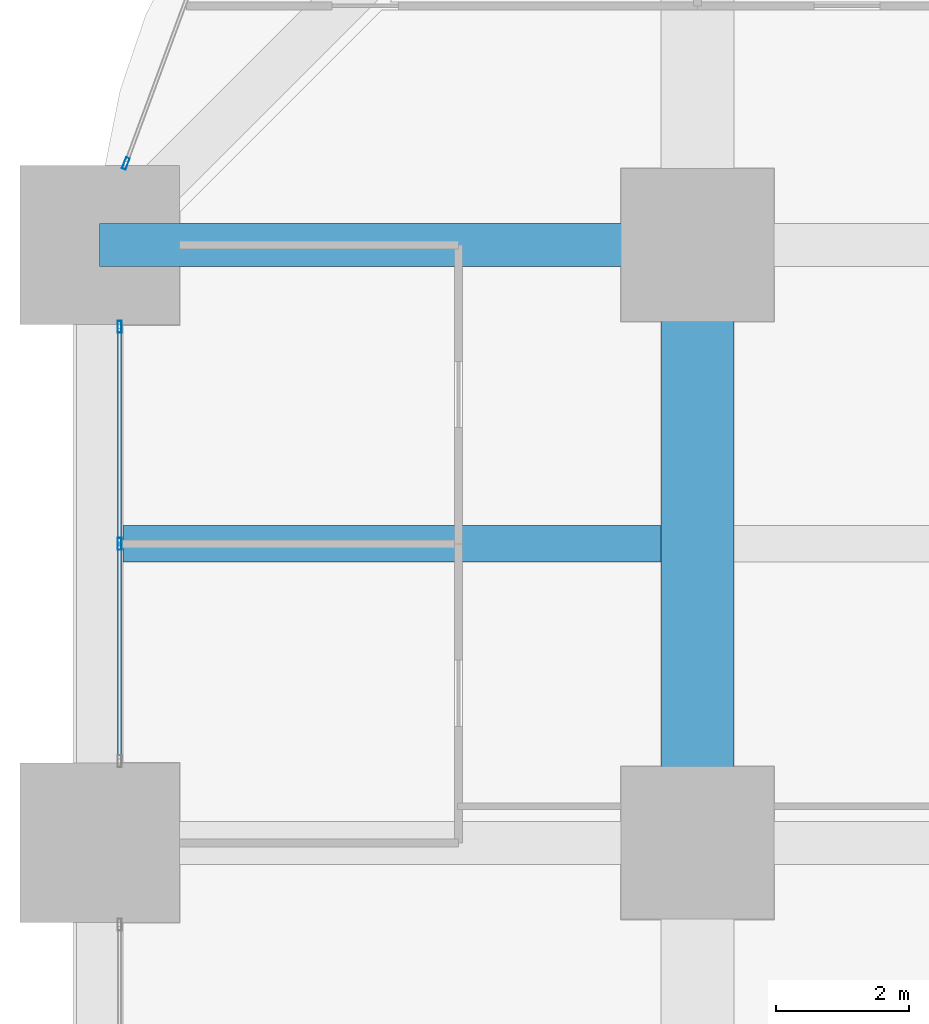
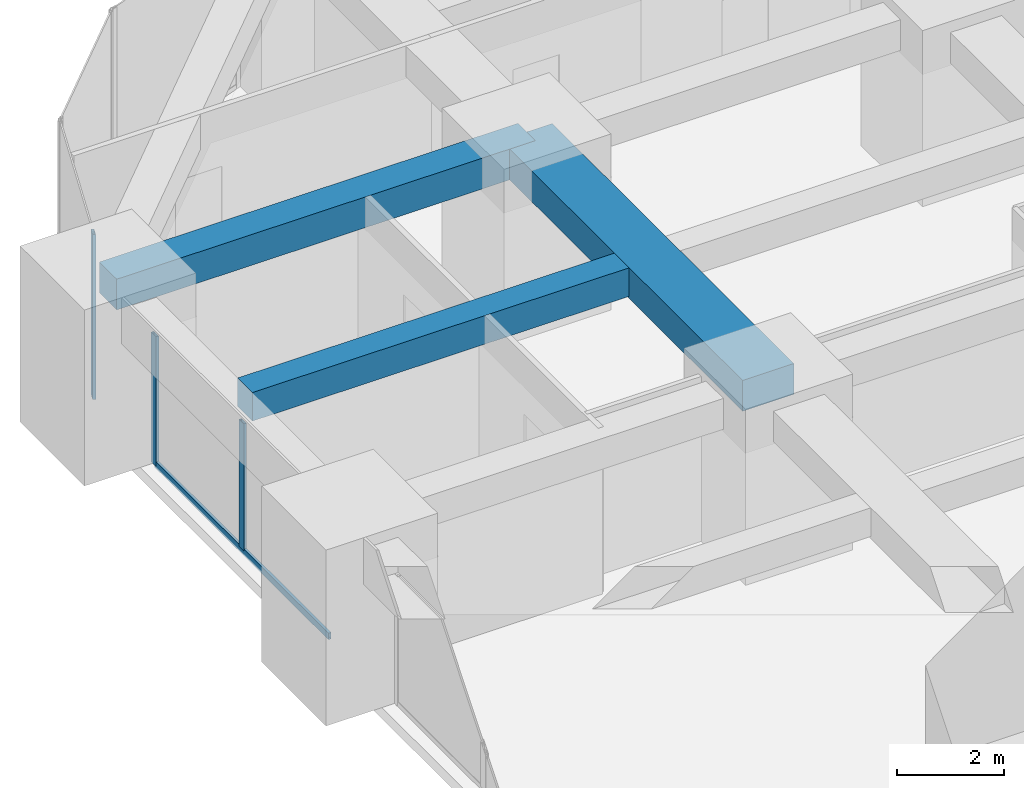
# One storey, part 25 of 44: 4 members, 3 beams, 2 elements without a shape of their own.
"""IFC4 building model written with IfcOpenShell, lengths in metres."""

from ifc_helpers import new_model, si_unit, direction, frame, origin, origin_2d, place, context, subcontext, project, spatial, rectangle, hollow_rectangle, extrude, material, material_profile, profile_set, type_object, element, aggregate, save


model = new_model("IFC4")

# Units and contexts
model_context = context("Model", 3, precision=1e-05, world=origin(), true_north=direction((0.0, 1.0)))
body_context = subcontext(model_context, "Body", "Model", "MODEL_VIEW")
ifc_project = project(units=[si_unit("LENGTHUNIT", "METRE"), si_unit("AREAUNIT", "SQUARE_METRE"), si_unit("VOLUMEUNIT", "CUBIC_METRE"), si_unit("PLANEANGLEUNIT", "RADIAN"), si_unit("MASSUNIT", "GRAM", prefix="KILO")], contexts=[model_context])

# Site, building, storey
site_placement = place(None, origin())
site = spatial("IfcSite", under=ifc_project, at=site_placement, CompositionType="ELEMENT")
building_placement = place(site_placement, origin())
building = spatial("IfcBuilding", under=site, at=building_placement, Name="Zorevar Civic Tower", CompositionType="ELEMENT")
storey_placement = place(building_placement, frame((0.0, 0.0, 31.800048828125)))
storey = spatial("IfcBuildingStorey", under=building, at=storey_placement, Name="L07", CompositionType="ELEMENT", Elevation=31.800048828125)

# Beams
ifc_material_1 = material(Name="Concrete C50/60", Category="concrete")
ifc_material_profile_1 = material_profile(ifc_material_1, rectangle(XDim=1.10009765625, YDim=0.699951171875, at=origin_2d()), Name="RC 1100x700")
ifc_profile_set_1 = profile_set([ifc_material_profile_1], Name="Concrete C50/60")
beam_type_1 = type_object("IfcBeamType", Name="Beam RC 1100x700", PredefinedType="BEAM", material=ifc_profile_set_1)
beam_1_placement = place(storey_placement, frame((9.0, 36.0, 3.39990234375), z_axis=(0.0, 1.0, 0.0), x_axis=(-1.0, 0.0, 0.0)))
element("IfcBeam", 1, at=beam_1_placement, inside=storey, type_object=beam_type_1, Name="Girder L08", PredefinedType="BEAM", context=body_context, shape_type="SweptSolid", body=[
    extrude(rectangle(XDim=1.10009765625, YDim=0.699951171875, at=origin_2d()), origin(), (0.0, 0.0, 1.0), 9.0),
])
ifc_material_2 = material(Name="Concrete C50/60", Category="concrete")
ifc_material_profile_2 = material_profile(ifc_material_2, rectangle(XDim=0.550048828125, YDim=0.64990234375, at=origin_2d()), Name="RC 550x650")
ifc_profile_set_2 = profile_set([ifc_material_profile_2], Name="Concrete C50/60")
beam_type_2 = type_object("IfcBeamType", Name="Beam RC 550x650", PredefinedType="BEAM", material=ifc_profile_set_2)
beam_2_placement = place(storey_placement, frame((0.35009765625, 40.5, 3.425048828125), z_axis=(1.0, 0.0, 0.0), x_axis=(0.0, 1.0, 0.0)))
element("IfcBeam", 2, at=beam_2_placement, inside=storey, type_object=beam_type_2, Name="Secondary beam L08", PredefinedType="BEAM", context=body_context, shape_type="SweptSolid", body=[
    extrude(rectangle(XDim=0.550048828125, YDim=0.64990234375, at=origin_2d()), origin(), (0.0, 0.0, 1.0), 8.099853515625),
])
ifc_material_3 = material(Name="Concrete C50/60", Category="concrete")
ifc_material_profile_3 = material_profile(ifc_material_3, rectangle(XDim=0.64990234375, YDim=0.699951171875, at=origin_2d()), Name="RC 650x700")
ifc_profile_set_3 = profile_set([ifc_material_profile_3], Name="Concrete C50/60")
beam_type_3 = type_object("IfcBeamType", Name="Beam RC 650x700", PredefinedType="BEAM", material=ifc_profile_set_3)
beam_3_placement = place(storey_placement, frame((0.0, 45.0, 3.39990234375), z_axis=(1.0, 0.0, 0.0), x_axis=(0.0, 1.0, 0.0)))
element("IfcBeam", 3, at=beam_3_placement, inside=storey, type_object=beam_type_3, Name="Girder L08", PredefinedType="BEAM", context=body_context, shape_type="SweptSolid", body=[
    extrude(rectangle(XDim=0.64990234375, YDim=0.699951171875, at=origin_2d()), origin(), (0.0, 0.0, 1.0), 9.0),
])

# Curtain wall, members
ifc_material_4 = material(Name="Dark grey solar-control glass in black aluminium frame", Category="aluminium")
curtain_wall_type = type_object("IfcCurtainWallType", Name="Curtain wall CW2 low zone", PredefinedType="NOTDEFINED", material=ifc_material_4)
curtain_wall_1_placement = place(storey_placement, origin())
curtain_wall_1 = element("IfcCurtainWall", 4, at=curtain_wall_1_placement, inside=storey, type_object=curtain_wall_type, Name="CW2 L07", PredefinedType="NOTDEFINED")
ifc_material_5 = material(Name="Aluminium, black anodised", Category="aluminium")
ifc_material_profile_4 = material_profile(ifc_material_5, hollow_rectangle(XDim=0.06005859375, YDim=0.179931640625, WallThickness=0.00390625, at=origin_2d()), Name="AL 180x60x4")
ifc_profile_set_4 = profile_set([ifc_material_profile_4], Name="Aluminium, black anodised")
member_type_1 = type_object("IfcMemberType", Name="CW2 mullion AL 180x60x4", PredefinedType="MULLION", material=ifc_profile_set_4)
member_1_placement = place(storey_placement, frame((0.300048828125, 40.5, 0.06005859375), z_axis=(0.0, 0.0, 1.0), x_axis=(-1.0, 0.0, 0.0)))
member_1 = element("IfcMember", 5, at=member_1_placement, type_object=member_type_1, Name="CW2 mullion 2", PredefinedType="MULLION", context=body_context, shape_type="SweptSolid", body=[
    extrude(hollow_rectangle(XDim=0.06005859375, YDim=0.179931640625, WallThickness=0.00390625, at=origin_2d()), origin(), (0.0, 0.0, 1.0), 2.889892578125),
])
member_2_placement = place(storey_placement, frame((0.300048828125, 43.77001953125, 0.0), z_axis=(0.0, 0.0, 1.0), x_axis=(-1.0, 0.0, 0.0)))
member_2 = element("IfcMember", 6, at=member_2_placement, type_object=member_type_1, Name="CW2 mullion 3", PredefinedType="MULLION", context=body_context, shape_type="SweptSolid", body=[
    extrude(hollow_rectangle(XDim=0.06005859375, YDim=0.179931640625, WallThickness=0.00390625, at=origin_2d()), origin(), (0.0, 0.0, 1.0), 2.949951171875),
])

# Curtain wall, member
curtain_wall_2_placement = place(storey_placement, origin())
curtain_wall_2 = element("IfcCurtainWall", 7, at=curtain_wall_2_placement, inside=storey, type_object=curtain_wall_type, Name="CW2 L07", PredefinedType="NOTDEFINED")
member_3_placement = place(storey_placement, frame((0.3935546875, 46.22802734375, 0.0), z_axis=(0.0, 0.0, 1.0), x_axis=(0.937974588163, -0.346704012033, 0.0)))
member_3 = element("IfcMember", 8, at=member_3_placement, type_object=member_type_1, Name="CW2 mullion 2", PredefinedType="MULLION", context=body_context, shape_type="SweptSolid", body=[
    extrude(hollow_rectangle(XDim=0.06005859375, YDim=0.179931640625, WallThickness=0.00390625, at=origin_2d()), origin(), (0.0, 0.0, 1.0), 3.75),
])
aggregate(curtain_wall_2, [member_3])

# Member
ifc_material_6 = material(Name="Aluminium, black anodised", Category="aluminium")
ifc_material_profile_5 = material_profile(ifc_material_6, hollow_rectangle(XDim=0.06005859375, YDim=0.14990234375, WallThickness=0.00390625, at=origin_2d()), Name="AL 150x60x4")
ifc_profile_set_5 = profile_set([ifc_material_profile_5], Name="Aluminium, black anodised")
member_type_2 = type_object("IfcMemberType", Name="CW2 transom AL 150x60x4", PredefinedType="USERDEFINED", material=ifc_profile_set_5)
member_4_placement = place(storey_placement, frame((0.300048828125, 37.260009765625, 0.030029296875), z_axis=(0.0, 1.0, 0.0), x_axis=(-1.0, 0.0, 0.0)))
member_4 = element("IfcMember", 9, at=member_4_placement, type_object=member_type_2, Name="CW2 sill transom", ObjectType="TRANSOM", PredefinedType="USERDEFINED", context=body_context, shape_type="SweptSolid", body=[
    extrude(hollow_rectangle(XDim=0.06005859375, YDim=0.14990234375, WallThickness=0.00390625, at=origin_2d()), origin(), (0.0, 0.0, 1.0), 6.47998046875),
])

aggregate(curtain_wall_1, [member_1, member_2, member_4])

save(model, "model.ifc")
